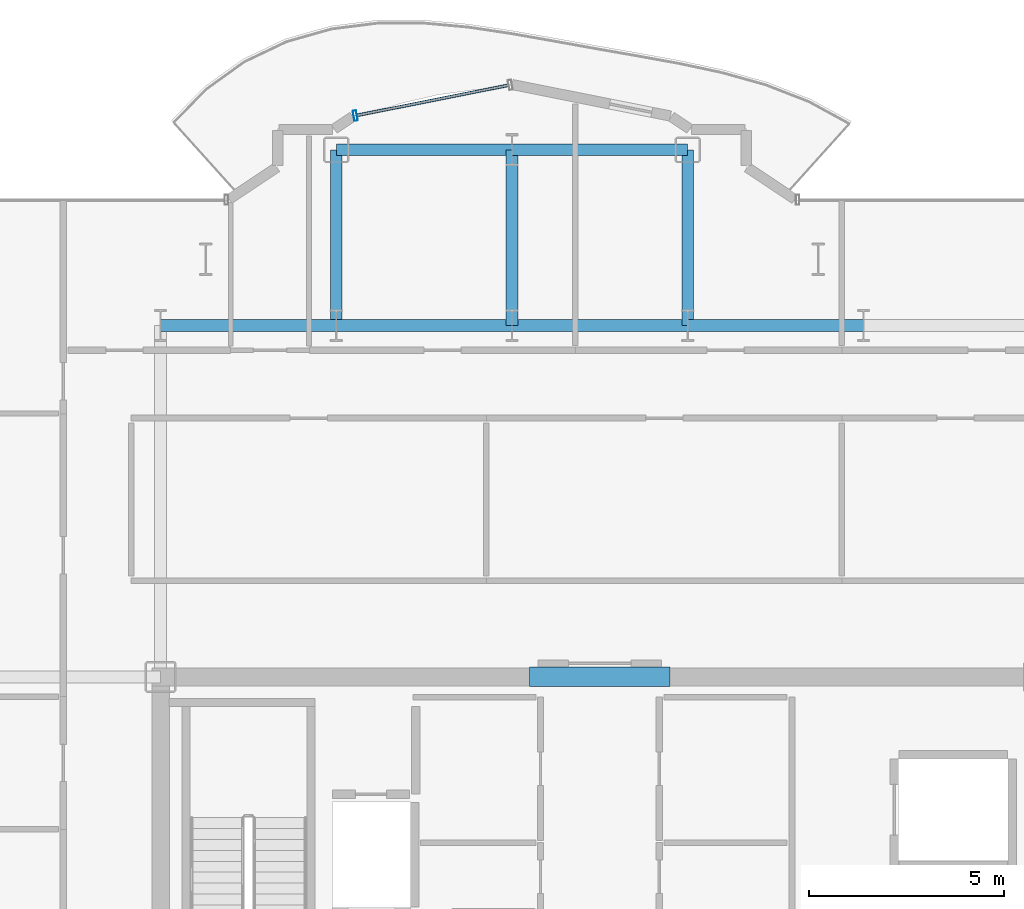
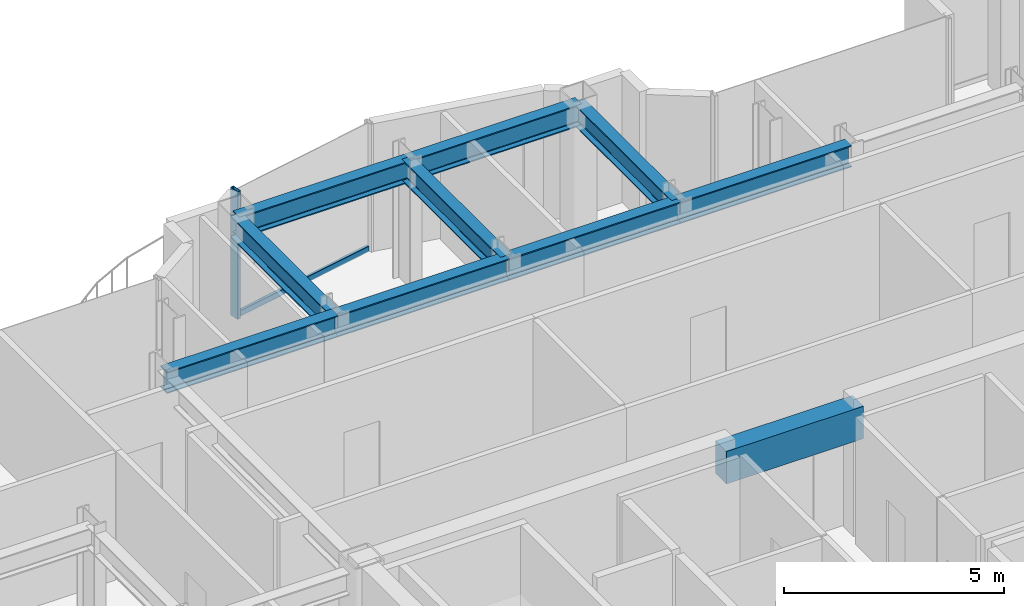
# One storey, part 9 of 21: 10 beams, 2 members, 1 element without a shape of its own.
"""IFC4 building model written with IfcOpenShell, lengths in metres."""

from ifc_helpers import new_model, si_unit, direction, frame, origin, origin_2d, place, context, subcontext, project, spatial, rectangle, hollow_rectangle, i_section, extrude, source, transform, mapped, material, layer, layer_set, material_profile, profile_set, type_object, element, aggregate, save


model = new_model("IFC4")

# Units and contexts
model_context = context("Model", 3, precision=1e-05, world=origin(), true_north=direction((0.0, 1.0)))
body_context = subcontext(model_context, "Body", "Model", "MODEL_VIEW")
ifc_project = project(units=[si_unit("LENGTHUNIT", "METRE"), si_unit("AREAUNIT", "SQUARE_METRE"), si_unit("VOLUMEUNIT", "CUBIC_METRE"), si_unit("PLANEANGLEUNIT", "RADIAN"), si_unit("MASSUNIT", "GRAM", prefix="KILO")], contexts=[model_context])

# Site, building, storey
site_placement = place(None, origin())
site = spatial("IfcSite", under=ifc_project, at=site_placement, CompositionType="ELEMENT")
building_placement = place(site_placement, origin())
building = spatial("IfcBuilding", under=site, at=building_placement, Name="Nefas-Gora Pilgrimage Tower", CompositionType="ELEMENT")
storey_placement = place(building_placement, frame((0.0, 0.0, 233.199951171875)))
storey = spatial("IfcBuildingStorey", under=building, at=storey_placement, Name="L58", CompositionType="ELEMENT", Elevation=233.199951171875)

# Beams
ifc_material_1 = material(Name="Concrete C50/60", Category="concrete")
ifc_material_profile_1 = material_profile(ifc_material_1, rectangle(XDim=0.5, YDim=0.89990234375, at=origin_2d()), Name="RC 500x900")
ifc_profile_set_1 = profile_set([ifc_material_profile_1], Name="Concrete C50/60")
beam_type_1 = type_object("IfcBeamType", Name="BM-LIN-RC900", PredefinedType="LINTEL", material=ifc_profile_set_1)
shared_shape_1 = source(origin(), body_context, "Body", "SweptSolid", [
    extrude(rectangle(XDim=0.5, YDim=0.89990234375, at=origin_2d()), origin(), (0.0, 0.0, 1.0), 3.60009765625),
])
beam_placement = place(storey_placement, frame((-1.800048828125, 9.0, 3.10009765625), z_axis=(1.0, 0.0, 0.0), x_axis=(0.0, 1.0, 0.0)))
element("IfcBeam", 1, at=beam_placement, inside=storey, type_object=beam_type_1, Name="L58 Core Coupling Lintel Beam N", PredefinedType="LINTEL", context=body_context, shape_type="MappedRepresentation", body=[
    mapped(shared_shape_1, transform((0.0, 0.0, 0.0), x_axis=(1.0, 0.0, 0.0), y_axis=(0.0, 1.0, 0.0), z_axis=(0.0, 0.0, 1.0), scale=1.0)),
])
ifc_material_2 = material(Name="Steel S355", Category="steel")
ifc_material_profile_2 = material_profile(ifc_material_2, i_section(OverallWidth=0.300048828125, OverallDepth=0.60009765625, WebThickness=0.015380859375, FlangeThickness=0.030029296875, FilletRadius=0.027099609375, at=origin_2d()), Name="HEB 600")
ifc_profile_set_2 = profile_set([ifc_material_profile_2], Name="Steel S355")
beam_type_2 = type_object("IfcBeamType", Name="BM-GIR-HEB600", PredefinedType="BEAM", material=ifc_profile_set_2)
shared_shape_2 = source(origin(), body_context, "Body", "SweptSolid", [
    extrude(i_section(OverallWidth=0.300048828125, OverallDepth=0.60009765625, WebThickness=0.015380859375, FlangeThickness=0.030029296875, FilletRadius=0.027099609375, at=origin_2d()), origin(), (0.0, 0.0, 1.0), 4.5),
])
for number, where, z_axis, x_axis, name in (
    (2, (-11.25, 18.0, 3.25), (1.0, 0.0, 0.0), (0.0, 1.0, 0.0), "L58 G-04 beam"),
    (3, (-6.75, 18.0, 3.25), (0.0, 1.0, 0.0), (-1.0, 0.0, 0.0), "L58 G-04 beam"),
    (4, (-6.75, 18.0, 3.25), (1.0, 0.0, 0.0), (0.0, 1.0, 0.0), "L58 G-04 beam"),
    (5, (-6.75, 22.5, 3.25), (1.0, 0.0, 0.0), (0.0, 1.0, 0.0), "L58 G-04 beam"),
    (6, (-2.25, 18.0, 3.25), (0.0, 1.0, 0.0), (-1.0, 0.0, 0.0), "L58 G-04 beam"),
    (7, (-2.25, 18.0, 3.25), (1.0, 0.0, 0.0), (0.0, 1.0, 0.0), "L58 G-04 beam"),
    (8, (-2.25, 22.5, 3.25), (1.0, 0.0, 0.0), (0.0, 1.0, 0.0), "L58 G-04 beam"),
    (9, (2.25, 18.0, 3.25), (0.0, 1.0, 0.0), (-1.0, 0.0, 0.0), "L58 G-04 beam"),
    (10, (2.25, 18.0, 3.25), (1.0, 0.0, 0.0), (0.0, 1.0, 0.0), "L58 G-04 beam"),
):
    element("IfcBeam", number, at=place(storey_placement, frame(where, z_axis=z_axis, x_axis=x_axis)), inside=storey, type_object=beam_type_2, Name=name, PredefinedType="BEAM", context=body_context, shape_type="MappedRepresentation", body=[
        mapped(shared_shape_2, transform((0.0, 0.0, 0.0), x_axis=(1.0, 0.0, 0.0), y_axis=(0.0, 1.0, 0.0), z_axis=(0.0, 0.0, 1.0), scale=1.0)),
    ])

# Curtain wall, members
ifc_material_3 = material(Name="Dark ceramic-fritted solar-control aluminium-glass curtain wall", Category="aluminium")
ifc_layer = layer(ifc_material_3, 0.219970703125)
ifc_layer_set = layer_set([ifc_layer], Name="Dark ceramic-fritted solar-control aluminium-glass curtain wall")
curtain_wall_type = type_object("IfcCurtainWallType", Name="CW-SYS-5", PredefinedType="NOTDEFINED", material=ifc_layer_set)
curtain_wall_placement = place(storey_placement, origin())
curtain_wall = element("IfcCurtainWall", 11, at=curtain_wall_placement, inside=storey, type_object=curtain_wall_type, Name="L58 Unitised Curtain Wall CW5", PredefinedType="NOTDEFINED")
ifc_material_4 = material(Name="Anodised architectural aluminium", Category="aluminium")
ifc_material_profile_3 = material_profile(ifc_material_4, hollow_rectangle(XDim=0.090087890625, YDim=0.260009765625, WallThickness=0.006103515625, InnerFilletRadius=0.006103515625, OuterFilletRadius=0.011962890625, at=origin_2d()), Name="ALU MULLION 90x260")
ifc_profile_set_3 = profile_set([ifc_material_profile_3], Name="Anodised architectural aluminium")
member_type_1 = type_object("IfcMemberType", Name="CWM-MUL-5", PredefinedType="MULLION", material=ifc_profile_set_3)
shared_shape_3 = source(origin(), body_context, "Body", "SweptSolid", [
    extrude(hollow_rectangle(XDim=0.090087890625, YDim=0.260009765625, WallThickness=0.006103515625, InnerFilletRadius=0.006103515625, OuterFilletRadius=0.011962890625, at=origin_2d()), origin(), (0.0, 0.0, 1.0), 3.550048828125),
])
member_1_placement = place(storey_placement, frame((-6.26318359375, 23.3740234375, 0.0), z_axis=(0.0, 0.0, 1.0), x_axis=(-0.980782896852, -0.195102304554, 0.0)))
member_1 = element("IfcMember", 12, at=member_1_placement, type_object=member_type_1, Name="CW5 Mullion 2", PredefinedType="MULLION", context=body_context, shape_type="MappedRepresentation", body=[
    mapped(shared_shape_3, transform((0.0, 0.0, 0.0), x_axis=(1.0, 0.0, 0.0), y_axis=(0.0, 1.0, 0.0), z_axis=(0.0, 0.0, 1.0), scale=1.0)),
])
ifc_material_profile_4 = material_profile(ifc_material_4, hollow_rectangle(XDim=0.080078125, YDim=0.159912109375, WallThickness=0.00439453125, InnerFilletRadius=0.00439453125, OuterFilletRadius=0.009033203125, at=origin_2d()), Name="ALU TRANSOM 80x160")
ifc_profile_set_4 = profile_set([ifc_material_profile_4], Name="Anodised architectural aluminium")
member_type_2 = type_object("IfcMemberType", Name="CWM-TRN-5", PredefinedType="USERDEFINED", material=ifc_profile_set_4)
shared_shape_4 = source(origin(), body_context, "Body", "SweptSolid", [
    extrude(hollow_rectangle(XDim=0.080078125, YDim=0.159912109375, WallThickness=0.00439453125, InnerFilletRadius=0.00439453125, OuterFilletRadius=0.009033203125, at=origin_2d()), origin(), (0.0, 0.0, 1.0), 3.95654296875),
])
member_2_placement = place(storey_placement, frame((-2.33837890625, 24.15478515625, 0.050048828125), z_axis=(-0.980781880918, -0.195107411605, 0.0), x_axis=(0.195107411605, -0.980781880918, 0.0)))
member_2 = element("IfcMember", 13, at=member_2_placement, type_object=member_type_2, Name="CW5 Spandrel Transom", ObjectType="TRANSOM", PredefinedType="USERDEFINED", context=body_context, shape_type="MappedRepresentation", body=[
    mapped(shared_shape_4, transform((0.0, 0.0, 0.0), x_axis=(1.0, 0.0, 0.0), y_axis=(0.0, 1.0, 0.0), z_axis=(0.0, 0.0, 1.0), scale=1.0)),
])
aggregate(curtain_wall, [member_1, member_2])

save(model, "model.ifc")
